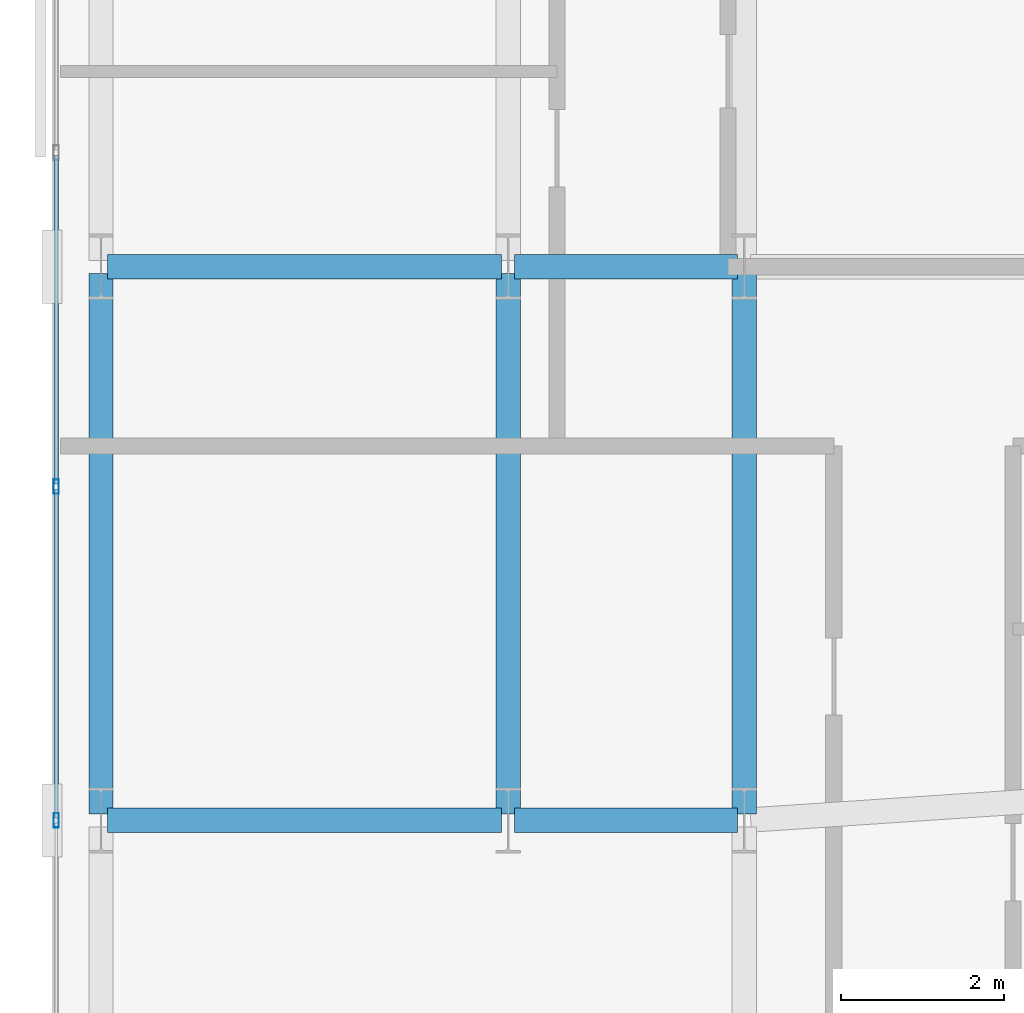
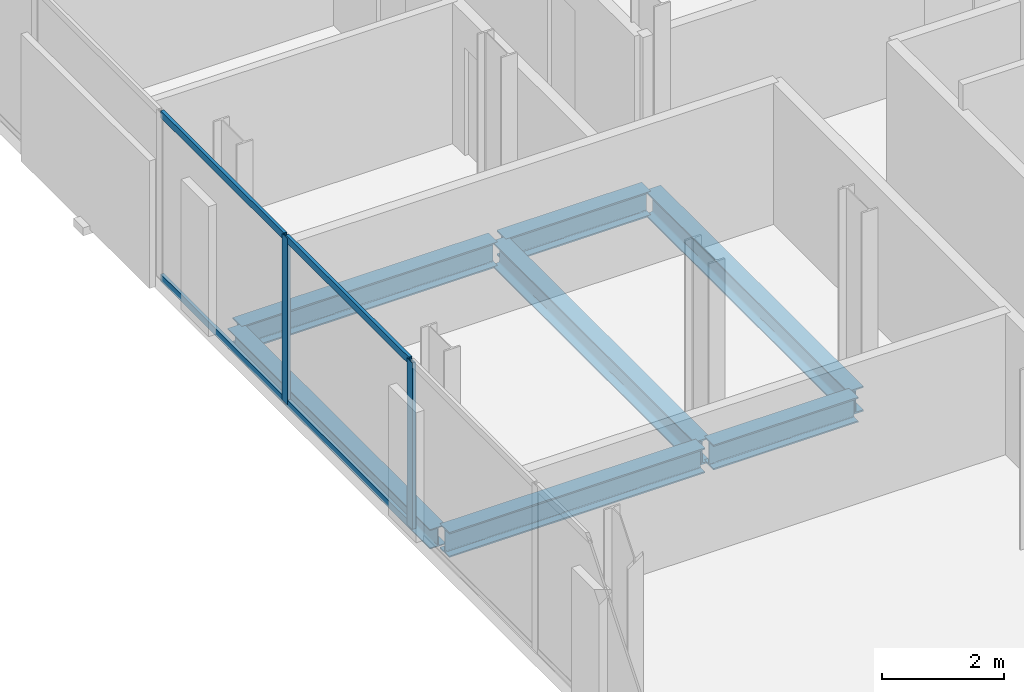
# One storey, part 11 of 32: 7 beams, 6 members, 1 element without a shape of its own.
"""IFC4 building model written with IfcOpenShell, lengths in metres."""

from ifc_helpers import new_model, si_unit, direction, frame, origin, origin_2d, place, context, subcontext, project, spatial, hollow_rectangle, i_section, extrude, material, layer, layer_set, material_profile, profile_set, type_object, element, aggregate, save


model = new_model("IFC4")

# Units and contexts
model_context = context("Model", 3, precision=1e-05, world=origin(), true_north=direction((0.0, 1.0)))
body_context = subcontext(model_context, "Body", "Model", "MODEL_VIEW")
ifc_project = project(units=[si_unit("LENGTHUNIT", "METRE"), si_unit("AREAUNIT", "SQUARE_METRE"), si_unit("VOLUMEUNIT", "CUBIC_METRE"), si_unit("PLANEANGLEUNIT", "RADIAN"), si_unit("MASSUNIT", "GRAM", prefix="KILO")], contexts=[model_context])

# Site, building, storey
site_placement = place(None, origin())
site = spatial("IfcSite", under=ifc_project, at=site_placement, CompositionType="ELEMENT")
building_placement = place(site_placement, origin())
building = spatial("IfcBuilding", under=site, at=building_placement, Name="Catumbela Crestline Tower", CompositionType="ELEMENT")
storey_placement = place(building_placement, frame((0.0, 0.0, 61.8)))
storey = spatial("IfcBuildingStorey", under=building, at=storey_placement, Name="L15", CompositionType="ELEMENT", Elevation=61.8)

# Beams
ifc_material_1 = material(Name="Structural steel S355J2", Category="steel")
ifc_material_profile_1 = material_profile(ifc_material_1, i_section(OverallWidth=0.3, OverallDepth=0.5, WebThickness=0.0145, FlangeThickness=0.028, FilletRadius=0.027, at=origin_2d()), Name="HEB 500")
ifc_profile_set_1 = profile_set([ifc_material_profile_1], Name="Structural steel S355J2")
beam_type_1 = type_object("IfcBeamType", Name="BG-HEB500", PredefinedType="BEAM", material=ifc_profile_set_1)
beam_1_placement = place(storey_placement, frame((0.68, 24.0, -0.51), z_axis=(1.0, 0.0, 0.0), x_axis=(0.0, 1.0, 0.0)))
element("IfcBeam", 1, at=beam_1_placement, inside=storey, type_object=beam_type_1, Name="L15 Beam BM-L15-S01", PredefinedType="BEAM", context=body_context, shape_type="SweptSolid", body=[
    extrude(i_section(OverallWidth=0.3, OverallDepth=0.5, WebThickness=0.0145, FlangeThickness=0.028, FilletRadius=0.027, at=origin_2d()), origin(), (0.0, 0.0, 1.0), 4.84),
])
beam_2_placement = place(storey_placement, frame((5.68, 24.0, -0.51), z_axis=(1.0, 0.0, 0.0), x_axis=(0.0, 1.0, 0.0)))
element("IfcBeam", 2, at=beam_2_placement, inside=storey, type_object=beam_type_1, Name="L15 Beam BM-L15-S02", PredefinedType="BEAM", context=body_context, shape_type="SweptSolid", body=[
    extrude(i_section(OverallWidth=0.3, OverallDepth=0.5, WebThickness=0.0145, FlangeThickness=0.028, FilletRadius=0.027, at=origin_2d()), origin(), (0.0, 0.0, 1.0), 2.74),
])
beam_3_placement = place(storey_placement, frame((0.68, 30.8, -0.51), z_axis=(1.0, 0.0, 0.0), x_axis=(0.0, 1.0, 0.0)))
element("IfcBeam", 3, at=beam_3_placement, inside=storey, type_object=beam_type_1, Name="L15 Beam BM-L15-M07", PredefinedType="BEAM", context=body_context, shape_type="SweptSolid", body=[
    extrude(i_section(OverallWidth=0.3, OverallDepth=0.5, WebThickness=0.0145, FlangeThickness=0.028, FilletRadius=0.027, at=origin_2d()), origin(), (0.0, 0.0, 1.0), 4.84),
])
beam_4_placement = place(storey_placement, frame((5.68, 30.8, -0.51), z_axis=(1.0, 0.0, 0.0), x_axis=(0.0, 1.0, 0.0)))
element("IfcBeam", 4, at=beam_4_placement, inside=storey, type_object=beam_type_1, Name="L15 Beam BM-L15-M08", PredefinedType="BEAM", context=body_context, shape_type="SweptSolid", body=[
    extrude(i_section(OverallWidth=0.3, OverallDepth=0.5, WebThickness=0.0145, FlangeThickness=0.028, FilletRadius=0.027, at=origin_2d()), origin(), (0.0, 0.0, 1.0), 2.74),
])
for number, where, z_axis, x_axis, name in (
    (5, (5.6, 24.08, -0.51), (0.0, 1.0, 0.0), (-1.0, 0.0, 0.0), "L15 Beam BM-L15-SN27"),
    (6, (8.5, 24.08, -0.51), (0.0, 1.0, 0.0), (-1.0, 0.0, 0.0), "L15 Beam BM-L15-SN29"),
):
    element("IfcBeam", number, at=place(storey_placement, frame(where, z_axis=z_axis, x_axis=x_axis)), inside=storey, type_object=beam_type_1, Name=name, PredefinedType="BEAM", context=body_context, shape_type="SweptSolid", body=[
        extrude(i_section(OverallWidth=0.3, OverallDepth=0.5, WebThickness=0.0145, FlangeThickness=0.028, FilletRadius=0.027, at=origin_2d()), origin(), (0.0, 0.0, 1.0), 6.64),
    ])

# Curtain wall, members
ifc_material_2 = material(Name="Aluminium alloy AW-6060-T66", Category="aluminium")
ifc_layer = layer(ifc_material_2, 0.18, Name="Aluminium alloy AW-6060-T66")
ifc_layer_set = layer_set([ifc_layer], Name="Aluminium alloy AW-6060-T66")
curtain_wall_type = type_object("IfcCurtainWallType", Name="CWU-Z1", PredefinedType="USERDEFINED", material=ifc_layer_set)
curtain_wall_placement = place(storey_placement, origin())
curtain_wall = element("IfcCurtainWall", 7, at=curtain_wall_placement, inside=storey, type_object=curtain_wall_type, Name="L15 Unitised Curtain Wall CW-L15-E9S1", ObjectType="UNITISED", PredefinedType="USERDEFINED")
ifc_material_profile_2 = material_profile(ifc_material_2, hollow_rectangle(XDim=0.065, YDim=0.18, WallThickness=0.004, at=origin_2d()), Name="ALU 180x65x4")
ifc_profile_set_2 = profile_set([ifc_material_profile_2], Name="Aluminium alloy AW-6060-T66")
member_type_1 = type_object("IfcMemberType", Name="MUL-180X65", PredefinedType="MULLION", material=ifc_profile_set_2)
member_1_placement = place(storey_placement, frame((0.05, 28.1, 0.0), z_axis=(0.0, 0.0, 1.0), x_axis=(1.0, 0.0, 0.0)))
member_1 = element("IfcMember", 8, at=member_1_placement, type_object=member_type_1, Name="CWU-Z1 mullion 5", PredefinedType="MULLION", context=body_context, shape_type="SweptSolid", body=[
    extrude(hollow_rectangle(XDim=0.065, YDim=0.18, WallThickness=0.004, at=origin_2d()), origin(), (0.0, 0.0, 1.0), 3.33),
])
member_2_placement = place(storey_placement, frame((0.05, 24.0, 0.0), z_axis=(0.0, 0.0, 1.0), x_axis=(1.0, 0.0, 0.0)))
member_2 = element("IfcMember", 9, at=member_2_placement, type_object=member_type_1, Name="CWU-Z1 mullion 6", PredefinedType="MULLION", context=body_context, shape_type="SweptSolid", body=[
    extrude(hollow_rectangle(XDim=0.065, YDim=0.18, WallThickness=0.004, at=origin_2d()), origin(), (0.0, 0.0, 1.0), 3.33),
])

# Beam
ifc_material_profile_3 = material_profile(ifc_material_1, i_section(OverallWidth=0.3, OverallDepth=0.39, WebThickness=0.011, FlangeThickness=0.019, FilletRadius=0.027, at=origin_2d()), Name="HEA 400")
ifc_profile_set_3 = profile_set([ifc_material_profile_3], Name="Structural steel S355J2")
beam_type_2 = type_object("IfcBeamType", Name="BS-HEA400", PredefinedType="SPANDREL", material=ifc_profile_set_3)
beam_5_placement = place(storey_placement, frame((0.6, 24.08, -0.455), z_axis=(0.0, 1.0, 0.0), x_axis=(-1.0, 0.0, 0.0)))
element("IfcBeam", 10, at=beam_5_placement, inside=storey, type_object=beam_type_2, Name="L15 Spandrel SP-L15-SN25", PredefinedType="SPANDREL", context=body_context, shape_type="SweptSolid", body=[
    extrude(i_section(OverallWidth=0.3, OverallDepth=0.39, WebThickness=0.011, FlangeThickness=0.019, FilletRadius=0.027, at=origin_2d()), origin(), (0.0, 0.0, 1.0), 6.64),
])

# Member
ifc_material_profile_4 = material_profile(ifc_material_2, hollow_rectangle(XDim=0.06, YDim=0.14, WallThickness=0.004, at=origin_2d()), Name="ALU 140x60x4")
ifc_profile_set_4 = profile_set([ifc_material_profile_4], Name="Aluminium alloy AW-6060-T66")
member_type_2 = type_object("IfcMemberType", Name="TRN-140X60", PredefinedType="USERDEFINED", material=ifc_profile_set_4)
member_3_placement = place(storey_placement, frame((0.05, 32.1675, 0.03), z_axis=(0.0, -1.0, 0.0), x_axis=(1.0, 0.0, 0.0)))
member_3 = element("IfcMember", 11, at=member_3_placement, type_object=member_type_2, Name="CWU-Z1 transom 4.1", ObjectType="TRANSOM", PredefinedType="USERDEFINED", context=body_context, shape_type="SweptSolid", body=[
    extrude(hollow_rectangle(XDim=0.06, YDim=0.14, WallThickness=0.004, at=origin_2d()), origin(), (0.0, 0.0, 1.0), 4.035),
])

member_4_placement = place(storey_placement, frame((0.05, 32.1675, 3.3), z_axis=(0.0, -1.0, 0.0), x_axis=(1.0, 0.0, 0.0)))
member_4 = element("IfcMember", 12, at=member_4_placement, type_object=member_type_2, Name="CWU-Z1 transom 4.2", ObjectType="TRANSOM", PredefinedType="USERDEFINED", context=body_context, shape_type="SweptSolid", body=[
    extrude(hollow_rectangle(XDim=0.06, YDim=0.14, WallThickness=0.004, at=origin_2d()), origin(), (0.0, 0.0, 1.0), 4.035),
])

member_5_placement = place(storey_placement, frame((0.05, 28.0675, 0.03), z_axis=(0.0, -1.0, 0.0), x_axis=(1.0, 0.0, 0.0)))
member_5 = element("IfcMember", 13, at=member_5_placement, type_object=member_type_2, Name="CWU-Z1 transom 5.1", ObjectType="TRANSOM", PredefinedType="USERDEFINED", context=body_context, shape_type="SweptSolid", body=[
    extrude(hollow_rectangle(XDim=0.06, YDim=0.14, WallThickness=0.004, at=origin_2d()), origin(), (0.0, 0.0, 1.0), 4.035),
])

member_6_placement = place(storey_placement, frame((0.05, 28.0675, 3.3), z_axis=(0.0, -1.0, 0.0), x_axis=(1.0, 0.0, 0.0)))
member_6 = element("IfcMember", 14, at=member_6_placement, type_object=member_type_2, Name="CWU-Z1 transom 5.2", ObjectType="TRANSOM", PredefinedType="USERDEFINED", context=body_context, shape_type="SweptSolid", body=[
    extrude(hollow_rectangle(XDim=0.06, YDim=0.14, WallThickness=0.004, at=origin_2d()), origin(), (0.0, 0.0, 1.0), 4.035),
])

aggregate(curtain_wall, [member_1, member_2, member_3, member_4, member_5, member_6])

save(model, "model.ifc")
